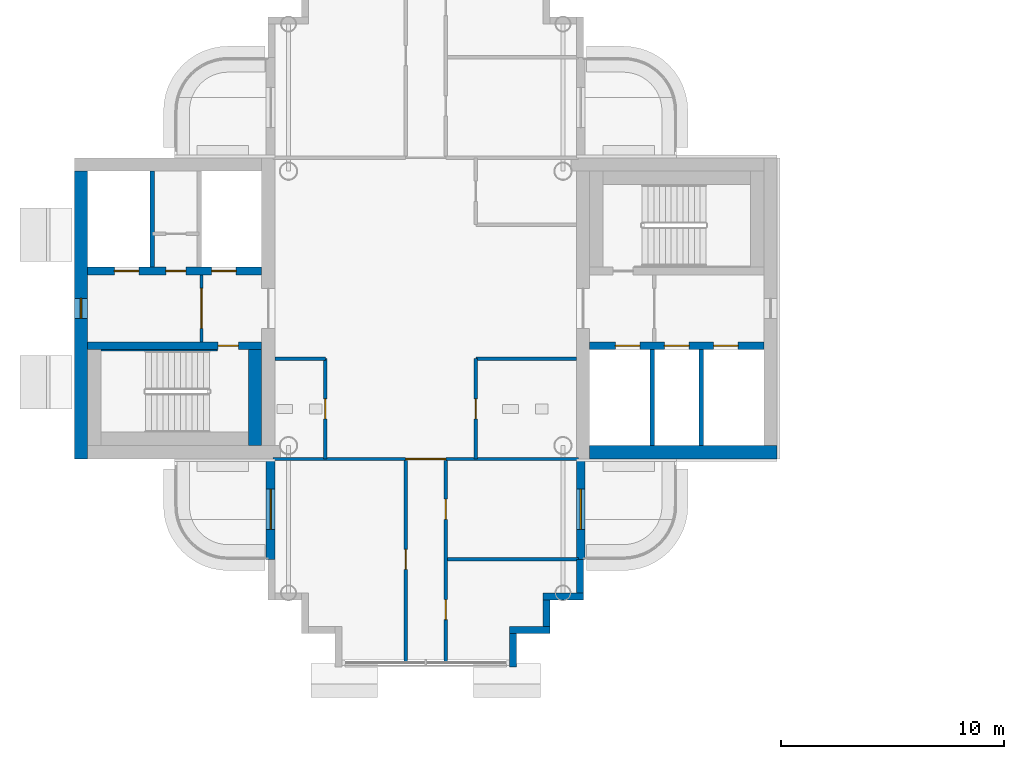
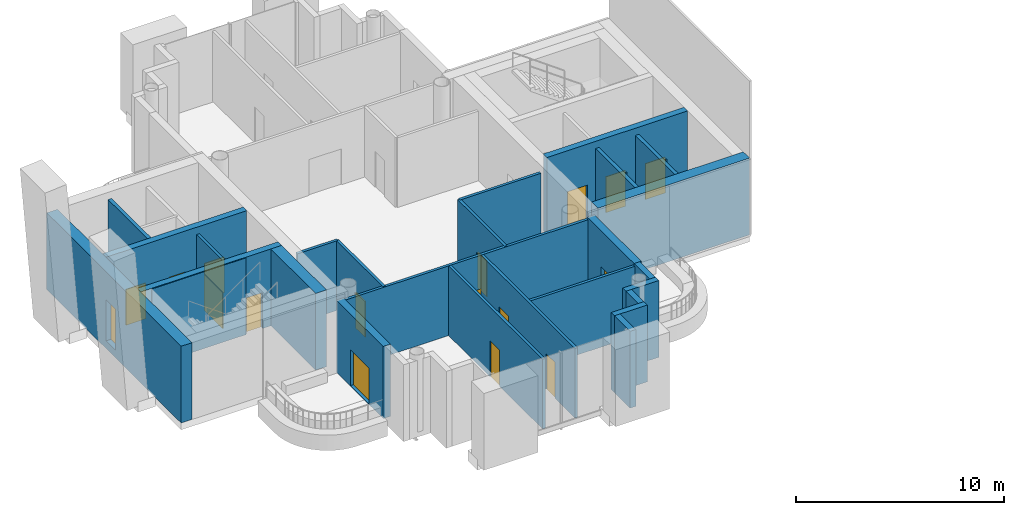
# One storey, part 7 of 20: 26 walls, 16 doors, 1 window, 17 openings.
"""IFC4 building model written with IfcOpenShell, lengths in metres."""

from ifc_helpers import new_model, si_unit, direction, frame, frame_2d, origin, place, context, subcontext, project, spatial, rectangle, extrude, material, layer, layer_set, type_object, element, fill, save


model = new_model("IFC4")

# Units and contexts
model_context = context("Model", 3, precision=1e-05, world=origin(), true_north=direction((0.0, 1.0)))
body_context = subcontext(model_context, "Body", "Model", "MODEL_VIEW")
ifc_project = project(units=[si_unit("LENGTHUNIT", "METRE"), si_unit("AREAUNIT", "SQUARE_METRE"), si_unit("VOLUMEUNIT", "CUBIC_METRE"), si_unit("PLANEANGLEUNIT", "RADIAN"), si_unit("MASSUNIT", "GRAM", prefix="KILO")], contexts=[model_context])

# Site, building, storey
site_placement = place(None, origin())
site = spatial("IfcSite", under=ifc_project, at=site_placement, CompositionType="ELEMENT")
building_placement = place(site_placement, origin())
building = spatial("IfcBuilding", under=site, at=building_placement, Name="Ipe Terrace Towers", CompositionType="ELEMENT")
storey_placement = place(building_placement, frame((0.0, 0.0, 242.39990234375)))
storey = spatial("IfcBuildingStorey", under=building, at=storey_placement, Name="L67", CompositionType="ELEMENT", Elevation=242.39990234375)

# Wall, opening, door
ifc_material_1 = material(Name="Concrete C40/50 with buff precast cladding", Category="concrete")
ifc_layer_1 = layer(ifc_material_1, 0.39990234375)
ifc_layer_set_1 = layer_set([ifc_layer_1], Name="BALCONY BAY WALL 400")
wall_type_1 = type_object("IfcWallType", Name="BALCONY BAY WALL 400", PredefinedType="STANDARD", material=ifc_layer_set_1)
wall_1_placement = place(storey_placement, frame((-42.949951171875, -6.75, -0.02001953125), z_axis=(0.0, 0.0, 1.0), x_axis=(0.0, -1.0, 0.0)))
wall_1 = element("IfcWall", 1, at=wall_1_placement, inside=storey, type_object=wall_type_1, Name="T1-W-L67-02a wall", PredefinedType="STANDARD", context=body_context, shape_type="SweptSolid", body=[
    extrude(rectangle(XDim=4.5, YDim=0.39990234375, at=frame_2d((2.25, 0.0))), origin(), (0.0, 0.0, 1.0), 4.22021484375),
])
opening_1_placement = place(wall_1_placement, frame((1.35009765625, 0.0, 0.02001953125)))
opening_1 = element("IfcOpeningElement", 2, at=opening_1_placement, cuts=wall_1, Name="Opening T1-D-L67-02", PredefinedType="OPENING", context=body_context, shape_type="SweptSolid", body=[
    extrude(rectangle(XDim=1.800048828125, YDim=2.10009765625, at=frame_2d((0.89990234375, 1.050048828125))), frame((0.0, 0.2099609375, 0.0), z_axis=(0.0, -1.0, 0.0), x_axis=(1.0, 0.0, 0.0)), (0.0, 0.0, 1.0), 0.419921875),
])
ifc_material_2 = material(Name="Aluminium alloy 6063-T6 framed glazed door", Category="aluminium")
door_type_1 = type_object("IfcDoorType", Name="BALCONY DOOR 1800 x 2100 LEFT", OperationType="SINGLE_SWING_LEFT", PredefinedType="DOOR", material=ifc_material_2)
door_1_placement = place(opening_1_placement, origin())
door_1 = element("IfcDoor", 3, at=door_1_placement, inside=storey, type_object=door_type_1, Name="DB1 door", OperationType="SINGLE_SWING_LEFT", OverallHeight=2.10009765625, OverallWidth=1.800048828125, PredefinedType="DOOR", context=body_context, shape_type="SweptSolid", body=[
    extrude(rectangle(XDim=1.800048828125, YDim=2.10009765625, at=frame_2d((0.89990234375, 1.050048828125))), frame((0.0, 0.02490234375, 0.0), z_axis=(0.0, -1.0, 0.0), x_axis=(1.0, 0.0, 0.0)), (0.0, 0.0, 1.0), 0.050048828125),
])
fill(opening_1, door_1)

wall_2_placement = place(storey_placement, frame((-29.050048828125, -11.25, -0.02001953125), z_axis=(0.0, 0.0, 1.0), x_axis=(0.0, 1.0, 0.0)))
wall_2 = element("IfcWall", 4, at=wall_2_placement, inside=storey, type_object=wall_type_1, Name="T1-W-L67-14a wall", PredefinedType="STANDARD", context=body_context, shape_type="SweptSolid", body=[
    extrude(rectangle(XDim=4.5, YDim=0.39990234375, at=frame_2d((2.25, 0.0))), origin(), (0.0, 0.0, 1.0), 4.22021484375),
])
opening_2_placement = place(wall_2_placement, frame((1.35009765625, 0.0, 0.02001953125)))
opening_2 = element("IfcOpeningElement", 5, at=opening_2_placement, cuts=wall_2, Name="Opening T1-D-L67-14", PredefinedType="OPENING", context=body_context, shape_type="SweptSolid", body=[
    extrude(rectangle(XDim=1.800048828125, YDim=2.10009765625, at=frame_2d((0.89990234375, 1.050048828125))), frame((0.0, 0.2099609375, 0.0), z_axis=(0.0, -1.0, 0.0), x_axis=(1.0, 0.0, 0.0)), (0.0, 0.0, 1.0), 0.419921875),
])
door_2_placement = place(opening_2_placement, origin())
door_2 = element("IfcDoor", 6, at=door_2_placement, inside=storey, type_object=door_type_1, Name="DB1 door", OperationType="SINGLE_SWING_LEFT", OverallHeight=2.10009765625, OverallWidth=1.800048828125, PredefinedType="DOOR", context=body_context, shape_type="SweptSolid", body=[
    extrude(rectangle(XDim=1.800048828125, YDim=2.10009765625, at=frame_2d((0.89990234375, 1.050048828125))), frame((0.0, 0.02490234375, 0.0), z_axis=(0.0, -1.0, 0.0), x_axis=(1.0, 0.0, 0.0)), (0.0, 0.0, 1.0), 0.050048828125),
])
fill(opening_2, door_2)

# Walls
ifc_material_3 = material(Name="Concrete C40/50 with buff precast cladding", Category="concrete")
ifc_layer_2 = layer(ifc_material_3, 0.320068359375)
ifc_layer_set_2 = layer_set([ifc_layer_2], Name="BUFF CLADDING WALL 320")
wall_type_2 = type_object("IfcWallType", Name="BUFF CLADDING WALL 320", PredefinedType="STANDARD", material=ifc_layer_set_2)
wall_3_placement = place(storey_placement, frame((-32.090087890625, -16.070068359375, -0.2998046875), z_axis=(0.0, 0.0, 1.0), x_axis=(0.0, 1.0, 0.0)))
element("IfcWall", 7, at=wall_3_placement, inside=storey, type_object=wall_type_2, Name="T1-W-L67-09a wall", PredefinedType="STANDARD", context=body_context, shape_type="SweptSolid", body=[
    extrude(rectangle(XDim=1.5, YDim=0.320068359375, at=frame_2d((0.75, 0.0))), origin(), (0.0, 0.0, 1.0), 4.5),
])
wall_4_placement = place(storey_placement, frame((-32.25, -14.409912109375, -0.2998046875), z_axis=(0.0, 0.0, 1.0), x_axis=(1.0, 0.0, 0.0)))
element("IfcWall", 8, at=wall_4_placement, inside=storey, type_object=wall_type_2, Name="T1-W-L67-10a wall", PredefinedType="STANDARD", context=body_context, shape_type="SweptSolid", body=[
    extrude(rectangle(XDim=1.820068359375, YDim=0.320068359375, at=frame_2d((0.91015625, 0.0))), origin(), (0.0, 0.0, 1.0), 4.5),
])
wall_5_placement = place(storey_placement, frame((-30.590087890625, -14.25, -0.2998046875), z_axis=(0.0, 0.0, 1.0), x_axis=(0.0, 1.0, 0.0)))
element("IfcWall", 9, at=wall_5_placement, inside=storey, type_object=wall_type_2, Name="T1-W-L67-11a wall", PredefinedType="STANDARD", context=body_context, shape_type="SweptSolid", body=[
    extrude(rectangle(XDim=1.179931640625, YDim=0.320068359375, at=frame_2d((0.58984375, 0.0))), origin(), (0.0, 0.0, 1.0), 4.5),
])
wall_6_placement = place(storey_placement, frame((-30.75, -12.909912109375, -0.2998046875), z_axis=(0.0, 0.0, 1.0), x_axis=(1.0, 0.0, 0.0)))
element("IfcWall", 10, at=wall_6_placement, inside=storey, type_object=wall_type_2, Name="T1-W-L67-12a wall", PredefinedType="STANDARD", context=body_context, shape_type="SweptSolid", body=[
    extrude(rectangle(XDim=1.820068359375, YDim=0.320068359375, at=frame_2d((0.91015625, 0.0))), origin(), (0.0, 0.0, 1.0), 4.5),
])
wall_7_placement = place(storey_placement, frame((-29.090087890625, -12.75, -0.2998046875), z_axis=(0.0, 0.0, 1.0), x_axis=(0.0, 1.0, 0.0)))
element("IfcWall", 11, at=wall_7_placement, inside=storey, type_object=wall_type_2, Name="T1-W-L67-13a wall", PredefinedType="STANDARD", context=body_context, shape_type="SweptSolid", body=[
    extrude(rectangle(XDim=1.5, YDim=0.320068359375, at=frame_2d((0.75, 0.0))), origin(), (0.0, 0.0, 1.0), 4.5),
])

# Wall, opening, door
ifc_material_4 = material(Name="Gypsum board partition", Category="plasterboard")
ifc_layer_3 = layer(ifc_material_4, 0.14990234375)
ifc_layer_set_3 = layer_set([ifc_layer_3], Name="Gypsum board partition 150 mm")
wall_type_3 = type_object("IfcWallType", Name="Gypsum board partition 150 mm", PredefinedType="PARTITIONING", material=ifc_layer_set_3)
wall_8_placement = place(storey_placement, frame((-46.050048828125, 1.5, 0.0), z_axis=(0.0, 0.0, 1.0), x_axis=(0.0, -1.0, 0.0)))
wall_8 = element("IfcWall", 12, at=wall_8_placement, inside=storey, type_object=wall_type_3, Name="Gypsum board partition T1 L67 t1c2-lobby-wall", PredefinedType="PARTITIONING", context=body_context, shape_type="SweptSolid", body=[
    extrude(rectangle(XDim=3.0, YDim=0.14990234375, at=frame_2d((1.5, 0.0))), origin(), (0.0, 0.0, 1.0), 4.080078125),
])
opening_3_placement = place(wall_8_placement, frame((0.60009765625, 0.0, 0.0)))
opening_3 = element("IfcOpeningElement", 13, at=opening_3_placement, cuts=wall_8, Name="Opening T1C2-VD", PredefinedType="OPENING", context=body_context, shape_type="SweptSolid", body=[
    extrude(rectangle(XDim=1.800048828125, YDim=2.10009765625, at=frame_2d((0.89990234375, 1.050048828125))), frame((0.0, 0.0849609375, 0.0), z_axis=(0.0, -1.0, 0.0), x_axis=(1.0, 0.0, 0.0)), (0.0, 0.0, 1.0), 0.169921875),
])
ifc_material_5 = material(Name="Fire-rated timber door leaf", Category="wood")
door_type_2 = type_object("IfcDoorType", Name="Lobby door 1800 x 2100 FD60", OperationType="NOTDEFINED", PredefinedType="DOOR", material=ifc_material_5)
door_3_placement = place(opening_3_placement, origin())
door_3 = element("IfcDoor", 14, at=door_3_placement, inside=storey, type_object=door_type_2, Name="Lobby door T1C2-VD", OperationType="SINGLE_SWING_LEFT", OverallHeight=2.10009765625, OverallWidth=1.800048828125, PredefinedType="DOOR", context=body_context, shape_type="SweptSolid", body=[
    extrude(rectangle(XDim=1.800048828125, YDim=2.10009765625, at=frame_2d((0.89990234375, 1.050048828125))), frame((0.0, 0.02490234375, 0.0), z_axis=(0.0, -1.0, 0.0), x_axis=(1.0, 0.0, 0.0)), (0.0, 0.0, 1.0), 0.050048828125),
])
fill(opening_3, door_3)

wall_9_placement = place(storey_placement, frame((-33.75, -6.75, 0.0), z_axis=(0.0, 0.0, 1.0), x_axis=(0.0, 1.0, 0.0)))
wall_9 = element("IfcWall", 15, at=wall_9_placement, inside=storey, type_object=wall_type_3, Name="Gypsum board partition T1 L67 sp-cse-x", PredefinedType="PARTITIONING", context=body_context, shape_type="SweptSolid", body=[
    extrude(rectangle(XDim=4.5, YDim=0.14990234375, at=frame_2d((2.25, 0.0))), origin(), (0.0, 0.0, 1.0), 4.080078125),
])
opening_4_placement = place(wall_9_placement, frame((1.800048828125, 0.0, 0.0)))
opening_4 = element("IfcOpeningElement", 16, at=opening_4_placement, cuts=wall_9, Name="Opening T1-SP-CSE-NR", PredefinedType="OPENING", context=body_context, shape_type="SweptSolid", body=[
    extrude(rectangle(XDim=0.89990234375, YDim=2.10009765625, at=frame_2d((0.449951171875, 1.050048828125))), frame((0.0, 0.0849609375, 0.0), z_axis=(0.0, -1.0, 0.0), x_axis=(1.0, 0.0, 0.0)), (0.0, 0.0, 1.0), 0.169921875),
])
ifc_material_6 = material(Name="Timber door leaf", Category="wood")
door_type_3 = type_object("IfcDoorType", Name="Bathroom door 900 x 2100", OperationType="NOTDEFINED", PredefinedType="DOOR", material=ifc_material_6)
door_4_placement = place(opening_4_placement, origin())
door_4 = element("IfcDoor", 17, at=door_4_placement, inside=storey, type_object=door_type_3, Name="Bathroom door T1-SP-CSE-NR", OperationType="SINGLE_SWING_RIGHT", OverallHeight=2.10009765625, OverallWidth=0.89990234375, PredefinedType="DOOR", context=body_context, shape_type="SweptSolid", body=[
    extrude(rectangle(XDim=0.89990234375, YDim=2.10009765625, at=frame_2d((0.449951171875, 1.050048828125))), frame((0.0, 0.02490234375, 0.0), z_axis=(0.0, -1.0, 0.0), x_axis=(1.0, 0.0, 0.0)), (0.0, 0.0, 1.0), 0.050048828125),
])
fill(opening_4, door_4)

# Wall
wall_10_placement = place(storey_placement, frame((-33.75, -2.25, 0.0), z_axis=(0.0, 0.0, 1.0), x_axis=(1.0, 0.0, 0.0)))
element("IfcWall", 18, at=wall_10_placement, inside=storey, type_object=wall_type_3, Name="Gypsum board partition T1 L67 sp-cse-y", PredefinedType="PARTITIONING", context=body_context, shape_type="SweptSolid", body=[
    extrude(rectangle(XDim=4.5, YDim=0.14990234375, at=frame_2d((2.25, 0.0))), origin(), (0.0, 0.0, 1.0), 4.080078125),
])

# Wall, opening, door
wall_11_placement = place(storey_placement, frame((-40.5, -6.75, 0.0), z_axis=(0.0, 0.0, 1.0), x_axis=(0.0, 1.0, 0.0)))
wall_11 = element("IfcWall", 19, at=wall_11_placement, inside=storey, type_object=wall_type_3, Name="Gypsum board partition T1 L67 sp-csw-x", PredefinedType="PARTITIONING", context=body_context, shape_type="SweptSolid", body=[
    extrude(rectangle(XDim=4.5, YDim=0.14990234375, at=frame_2d((2.25, 0.0))), origin(), (0.0, 0.0, 1.0), 4.080078125),
])
opening_5_placement = place(wall_11_placement, frame((1.800048828125, 0.0, 0.0)))
opening_5 = element("IfcOpeningElement", 20, at=opening_5_placement, cuts=wall_11, Name="Opening T1-SP-CSW", PredefinedType="OPENING", context=body_context, shape_type="SweptSolid", body=[
    extrude(rectangle(XDim=0.89990234375, YDim=2.10009765625, at=frame_2d((0.449951171875, 1.050048828125))), frame((0.0, 0.0849609375, 0.0), z_axis=(0.0, -1.0, 0.0), x_axis=(1.0, 0.0, 0.0)), (0.0, 0.0, 1.0), 0.169921875),
])
door_5_placement = place(opening_5_placement, origin())
door_5 = element("IfcDoor", 21, at=door_5_placement, inside=storey, type_object=door_type_3, Name="Bathroom door T1-SP-CSW", OperationType="SINGLE_SWING_LEFT", OverallHeight=2.10009765625, OverallWidth=0.89990234375, PredefinedType="DOOR", context=body_context, shape_type="SweptSolid", body=[
    extrude(rectangle(XDim=0.89990234375, YDim=2.10009765625, at=frame_2d((0.449951171875, 1.050048828125))), frame((0.0, 0.02490234375, 0.0), z_axis=(0.0, -1.0, 0.0), x_axis=(1.0, 0.0, 0.0)), (0.0, 0.0, 1.0), 0.050048828125),
])
fill(opening_5, door_5)

# Wall
wall_12_placement = place(storey_placement, frame((-42.75, -2.25, 0.0), z_axis=(0.0, 0.0, 1.0), x_axis=(1.0, 0.0, 0.0)))
element("IfcWall", 22, at=wall_12_placement, inside=storey, type_object=wall_type_3, Name="Gypsum board partition T1 L67 sp-csw-y", PredefinedType="PARTITIONING", context=body_context, shape_type="SweptSolid", body=[
    extrude(rectangle(XDim=2.25, YDim=0.14990234375, at=frame_2d((1.125, 0.0))), origin(), (0.0, 0.0, 1.0), 4.080078125),
])

# Wall, opening, door
wall_13_placement = place(storey_placement, frame((-42.85009765625, -6.75, 0.0), z_axis=(0.0, 0.0, 1.0), x_axis=(1.0, 0.0, 0.0)))
wall_13 = element("IfcWall", 23, at=wall_13_placement, inside=storey, type_object=wall_type_3, Name="Gypsum board partition T1 L67 sp-Sm-mouth", PredefinedType="PARTITIONING", context=body_context, shape_type="SweptSolid", body=[
    extrude(rectangle(XDim=13.7001953125, YDim=0.14990234375, at=frame_2d((6.85009765625, 0.0))), origin(), (0.0, 0.0, 1.0), 4.080078125),
])
opening_6_placement = place(wall_13_placement, frame((5.949951171875, 0.0, 0.0)))
opening_6 = element("IfcOpeningElement", 24, at=opening_6_placement, cuts=wall_13, Name="Opening T1-SP-MSm", PredefinedType="OPENING", context=body_context, shape_type="SweptSolid", body=[
    extrude(rectangle(XDim=1.800048828125, YDim=2.10009765625, at=frame_2d((0.89990234375, 1.050048828125))), frame((0.0, 0.0849609375, 0.0), z_axis=(0.0, -1.0, 0.0), x_axis=(1.0, 0.0, 0.0)), (0.0, 0.0, 1.0), 0.169921875),
])
ifc_material_7 = material(Name="Fire-rated timber door leaf", Category="wood")
door_type_4 = type_object("IfcDoorType", Name="Lobby door 1800 x 2100 FD30S", OperationType="NOTDEFINED", PredefinedType="DOOR", material=ifc_material_7)
door_6_placement = place(opening_6_placement, origin())
door_6 = element("IfcDoor", 25, at=door_6_placement, inside=storey, type_object=door_type_4, Name="Lobby door T1-SP-MSm", OperationType="SINGLE_SWING_RIGHT", OverallHeight=2.10009765625, OverallWidth=1.800048828125, PredefinedType="DOOR", context=body_context, shape_type="SweptSolid", body=[
    extrude(rectangle(XDim=1.800048828125, YDim=2.10009765625, at=frame_2d((0.89990234375, 1.050048828125))), frame((0.0, 0.02490234375, 0.0), z_axis=(0.0, -1.0, 0.0), x_axis=(1.0, 0.0, 0.0)), (0.0, 0.0, 1.0), 0.050048828125),
])
fill(opening_6, door_6)

# Wall, openings, doors
wall_14_placement = place(storey_placement, frame((-35.10009765625, -15.85009765625, 0.0), z_axis=(0.0, 0.0, 1.0), x_axis=(0.0, 1.0, 0.0)))
wall_14 = element("IfcWall", 26, at=wall_14_placement, inside=storey, type_object=wall_type_3, Name="Gypsum board partition T1 L67 sp-Sm-wp", PredefinedType="PARTITIONING", context=body_context, shape_type="SweptSolid", body=[
    extrude(rectangle(XDim=9.025146484375, YDim=0.14990234375, at=frame_2d((4.5126953125, 0.0))), origin(), (0.0, 0.0, 1.0), 4.080078125),
])
opening_7_placement = place(wall_14_placement, frame((1.89990234375, 0.0, 0.0)))
opening_7 = element("IfcOpeningElement", 27, at=opening_7_placement, cuts=wall_14, Name="Opening T1-SP-PSm1", PredefinedType="OPENING", context=body_context, shape_type="SweptSolid", body=[
    extrude(rectangle(XDim=0.89990234375, YDim=2.10009765625, at=frame_2d((0.449951171875, 1.050048828125))), frame((0.0, 0.0849609375, 0.0), z_axis=(0.0, -1.0, 0.0), x_axis=(1.0, 0.0, 0.0)), (0.0, 0.0, 1.0), 0.169921875),
])
opening_8_placement = place(wall_14_placement, frame((6.39990234375, 0.0, 0.0)))
opening_8 = element("IfcOpeningElement", 28, at=opening_8_placement, cuts=wall_14, Name="Opening T1-SP-PSm2", PredefinedType="OPENING", context=body_context, shape_type="SweptSolid", body=[
    extrude(rectangle(XDim=0.89990234375, YDim=2.10009765625, at=frame_2d((0.449951171875, 1.050048828125))), frame((0.0, 0.0849609375, 0.0), z_axis=(0.0, -1.0, 0.0), x_axis=(1.0, 0.0, 0.0)), (0.0, 0.0, 1.0), 0.169921875),
])
ifc_material_8 = material(Name="Fire-rated timber door leaf", Category="wood")
door_type_5 = type_object("IfcDoorType", Name="Lounge door 900 x 2100 FD30S", OperationType="NOTDEFINED", PredefinedType="DOOR", material=ifc_material_8)
door_7_placement = place(opening_7_placement, origin())
door_7 = element("IfcDoor", 29, at=door_7_placement, inside=storey, type_object=door_type_5, Name="Lounge door T1-SP-PSm1", OperationType="SINGLE_SWING_LEFT", OverallHeight=2.10009765625, OverallWidth=0.89990234375, PredefinedType="DOOR", context=body_context, shape_type="SweptSolid", body=[
    extrude(rectangle(XDim=0.89990234375, YDim=2.10009765625, at=frame_2d((0.449951171875, 1.050048828125))), frame((0.0, 0.02490234375, 0.0), z_axis=(0.0, -1.0, 0.0), x_axis=(1.0, 0.0, 0.0)), (0.0, 0.0, 1.0), 0.050048828125),
])
fill(opening_7, door_7)
door_8_placement = place(opening_8_placement, origin())
door_8 = element("IfcDoor", 30, at=door_8_placement, inside=storey, type_object=door_type_5, Name="Lounge door T1-SP-PSm2", OperationType="SINGLE_SWING_RIGHT", OverallHeight=2.10009765625, OverallWidth=0.89990234375, PredefinedType="DOOR", context=body_context, shape_type="SweptSolid", body=[
    extrude(rectangle(XDim=0.89990234375, YDim=2.10009765625, at=frame_2d((0.449951171875, 1.050048828125))), frame((0.0, 0.02490234375, 0.0), z_axis=(0.0, -1.0, 0.0), x_axis=(1.0, 0.0, 0.0)), (0.0, 0.0, 1.0), 0.050048828125),
])
fill(opening_8, door_8)

# Wall
wall_15_placement = place(storey_placement, frame((-35.02490234375, -11.25, 0.0), z_axis=(0.0, 0.0, 1.0), x_axis=(1.0, 0.0, 0.0)))
element("IfcWall", 31, at=wall_15_placement, inside=storey, type_object=wall_type_3, Name="Gypsum board partition T1 L67 sp-Sm-dp1", PredefinedType="PARTITIONING", context=body_context, shape_type="SweptSolid", body=[
    extrude(rectangle(XDim=5.875, YDim=0.14990234375, at=frame_2d((2.9375, 0.0))), origin(), (0.0, 0.0, 1.0), 4.080078125),
])

# Wall, opening, door
wall_16_placement = place(storey_placement, frame((-36.89990234375, -15.85009765625, 0.0), z_axis=(0.0, 0.0, 1.0), x_axis=(0.0, 1.0, 0.0)))
wall_16 = element("IfcWall", 32, at=wall_16_placement, inside=storey, type_object=wall_type_3, Name="Gypsum board partition T1 L67 sp-Sm-wm", PredefinedType="PARTITIONING", context=body_context, shape_type="SweptSolid", body=[
    extrude(rectangle(XDim=9.025146484375, YDim=0.14990234375, at=frame_2d((4.5126953125, 0.0))), origin(), (0.0, 0.0, 1.0), 4.080078125),
])
opening_9_placement = place(wall_16_placement, frame((4.14990234375, 0.0, 0.0)))
opening_9 = element("IfcOpeningElement", 33, at=opening_9_placement, cuts=wall_16, Name="Opening T1-SP-MSm1", PredefinedType="OPENING", context=body_context, shape_type="SweptSolid", body=[
    extrude(rectangle(XDim=0.89990234375, YDim=2.10009765625, at=frame_2d((0.449951171875, 1.050048828125))), frame((0.0, 0.0849609375, 0.0), z_axis=(0.0, -1.0, 0.0), x_axis=(1.0, 0.0, 0.0)), (0.0, 0.0, 1.0), 0.169921875),
])
door_9_placement = place(opening_9_placement, origin())
door_9 = element("IfcDoor", 34, at=door_9_placement, inside=storey, type_object=door_type_5, Name="Lounge door T1-SP-MSm1", OperationType="SINGLE_SWING_RIGHT", OverallHeight=2.10009765625, OverallWidth=0.89990234375, PredefinedType="DOOR", context=body_context, shape_type="SweptSolid", body=[
    extrude(rectangle(XDim=0.89990234375, YDim=2.10009765625, at=frame_2d((0.449951171875, 1.050048828125))), frame((0.0, 0.02490234375, 0.0), z_axis=(0.0, -1.0, 0.0), x_axis=(1.0, 0.0, 0.0)), (0.0, 0.0, 1.0), 0.050048828125),
])
fill(opening_9, door_9)

# Walls
ifc_material_9 = material(Name="Gypsum board party wall", Category="plasterboard")
ifc_layer_4 = layer(ifc_material_9, 0.199951171875)
ifc_layer_set_4 = layer_set([ifc_layer_4], Name="Gypsum board party wall 200 mm")
wall_type_4 = type_object("IfcWallType", Name="Gypsum board party wall 200 mm", PredefinedType="SOLIDWALL", material=ifc_layer_set_4)
for number, where, z_axis, x_axis, name in (
    (35, (-25.85009765625, -6.14990234375, 0.0), (0.0, 0.0, 1.0), (0.0, 1.0, 0.0), "Gypsum board party wall T1 L67 t1c1-shaft-div1"),
    (36, (-23.64990234375, -6.14990234375, 0.0), (0.0, 0.0, 1.0), (0.0, 1.0, 0.0), "Gypsum board party wall T1 L67 t1c1-shaft-div2"),
    (37, (-48.25, 6.14990234375, 0.0), (0.0, 0.0, 1.0), (0.0, -1.0, 0.0), "Gypsum board party wall T1 L67 t1c2-shaft-div2"),
):
    element("IfcWall", number, at=place(storey_placement, frame(where, z_axis=z_axis, x_axis=x_axis)), inside=storey, type_object=wall_type_4, Name=name, PredefinedType="SOLIDWALL", context=body_context, shape_type="SweptSolid", body=[
        extrude(rectangle(XDim=4.2998046875, YDim=0.199951171875, at=frame_2d((2.14990234375, 0.0))), origin(), (0.0, 0.0, 1.0), 4.080078125),
    ])

# Wall, openings, doors
ifc_material_10 = material(Name="Concrete C40/50", Category="concrete")
ifc_layer_5 = layer(ifc_material_10, 0.35009765625)
ifc_layer_set_5 = layer_set([ifc_layer_5], Name="RW350 CORE SPINE WALL 350 C40-50")
wall_type_5 = type_object("IfcWallType", Name="RW350 CORE SPINE WALL 350 C40-50", PredefinedType="SHEAR", material=ifc_layer_set_5)
wall_17_placement = place(storey_placement, frame((-28.64990234375, -1.675048828125, 0.0), z_axis=(0.0, 0.0, 1.0), x_axis=(1.0, 0.0, 0.0)))
wall_17 = element("IfcWall", 38, at=wall_17_placement, inside=storey, type_object=wall_type_5, Name="Core spine wall T1-C1-Z4-SW1", PredefinedType="SHEAR", context=body_context, shape_type="SweptSolid", body=[
    extrude(rectangle(XDim=7.7998046875, YDim=0.35009765625, at=frame_2d((3.89990234375, 0.0))), origin(), (0.0, 0.0, 1.0), 4.5),
])
opening_10_placement = place(wall_17_placement, frame((1.14990234375, 0.0, 0.0)))
opening_10 = element("IfcOpeningElement", 39, at=opening_10_placement, cuts=wall_17, Name="Opening T1C1-LD1", PredefinedType="OPENING", context=body_context, shape_type="SweptSolid", body=[
    extrude(rectangle(XDim=1.10009765625, YDim=2.10009765625, at=frame_2d((0.550048828125, 1.050048828125))), frame((0.0, 0.18505859375, 0.0), z_axis=(0.0, -1.0, 0.0), x_axis=(1.0, 0.0, 0.0)), (0.0, 0.0, 1.0), 0.3701171875),
])
opening_11_placement = place(wall_17_placement, frame((3.35009765625, 0.0, 0.0)))
opening_11 = element("IfcOpeningElement", 40, at=opening_11_placement, cuts=wall_17, Name="Opening T1C1-LD2", PredefinedType="OPENING", context=body_context, shape_type="SweptSolid", body=[
    extrude(rectangle(XDim=1.10009765625, YDim=2.10009765625, at=frame_2d((0.550048828125, 1.050048828125))), frame((0.0, 0.18505859375, 0.0), z_axis=(0.0, -1.0, 0.0), x_axis=(1.0, 0.0, 0.0)), (0.0, 0.0, 1.0), 0.3701171875),
])
opening_12_placement = place(wall_17_placement, frame((5.550048828125, 0.0, 0.0)))
opening_12 = element("IfcOpeningElement", 41, at=opening_12_placement, cuts=wall_17, Name="Opening T1C1-LD3", PredefinedType="OPENING", context=body_context, shape_type="SweptSolid", body=[
    extrude(rectangle(XDim=1.10009765625, YDim=2.10009765625, at=frame_2d((0.550048828125, 1.050048828125))), frame((0.0, 0.18505859375, 0.0), z_axis=(0.0, -1.0, 0.0), x_axis=(1.0, 0.0, 0.0)), (0.0, 0.0, 1.0), 0.3701171875),
])
ifc_material_11 = material(Name="Fire-rated timber door leaf", Category="wood")
door_type_6 = type_object("IfcDoorType", Name="Sliding door 1100 x 2100 FD60", OperationType="SLIDING_TO_LEFT", PredefinedType="DOOR", material=ifc_material_11)
door_10_placement = place(opening_10_placement, origin())
door_10 = element("IfcDoor", 42, at=door_10_placement, inside=storey, type_object=door_type_6, Name="Sliding door T1C1-LD1", OperationType="SLIDING_TO_LEFT", OverallHeight=2.10009765625, OverallWidth=1.10009765625, PredefinedType="DOOR", context=body_context, shape_type="SweptSolid", body=[
    extrude(rectangle(XDim=1.10009765625, YDim=2.10009765625, at=frame_2d((0.550048828125, 1.050048828125))), frame((0.0, 0.02490234375, 0.0), z_axis=(0.0, -1.0, 0.0), x_axis=(1.0, 0.0, 0.0)), (0.0, 0.0, 1.0), 0.050048828125),
])
fill(opening_10, door_10)
door_11_placement = place(opening_11_placement, origin())
door_11 = element("IfcDoor", 43, at=door_11_placement, inside=storey, type_object=door_type_6, Name="Sliding door T1C1-LD2", OperationType="SLIDING_TO_LEFT", OverallHeight=2.10009765625, OverallWidth=1.10009765625, PredefinedType="DOOR", context=body_context, shape_type="SweptSolid", body=[
    extrude(rectangle(XDim=1.10009765625, YDim=2.10009765625, at=frame_2d((0.550048828125, 1.050048828125))), frame((0.0, 0.02490234375, 0.0), z_axis=(0.0, -1.0, 0.0), x_axis=(1.0, 0.0, 0.0)), (0.0, 0.0, 1.0), 0.050048828125),
])
fill(opening_11, door_11)
door_12_placement = place(opening_12_placement, origin())
door_12 = element("IfcDoor", 44, at=door_12_placement, inside=storey, type_object=door_type_6, Name="Sliding door T1C1-LD3", OperationType="SLIDING_TO_LEFT", OverallHeight=2.10009765625, OverallWidth=1.10009765625, PredefinedType="DOOR", context=body_context, shape_type="SweptSolid", body=[
    extrude(rectangle(XDim=1.10009765625, YDim=2.10009765625, at=frame_2d((0.550048828125, 1.050048828125))), frame((0.0, 0.02490234375, 0.0), z_axis=(0.0, -1.0, 0.0), x_axis=(1.0, 0.0, 0.0)), (0.0, 0.0, 1.0), 0.050048828125),
])
fill(opening_12, door_12)

# Wall, opening, door
wall_18_placement = place(storey_placement, frame((-51.14990234375, -1.675048828125, 0.0), z_axis=(0.0, 0.0, 1.0), x_axis=(1.0, 0.0, 0.0)))
wall_18 = element("IfcWall", 45, at=wall_18_placement, inside=storey, type_object=wall_type_5, Name="Core spine wall T1-C2-Z4-SW1", PredefinedType="SHEAR", context=body_context, shape_type="SweptSolid", body=[
    extrude(rectangle(XDim=7.7998046875, YDim=0.35009765625, at=frame_2d((3.89990234375, 0.0))), origin(), (0.0, 0.0, 1.0), 4.5),
])
opening_13_placement = place(wall_18_placement, frame((5.85009765625, 0.0, 0.0)))
opening_13 = element("IfcOpeningElement", 46, at=opening_13_placement, cuts=wall_18, Name="Opening T1C2-SD", PredefinedType="OPENING", context=body_context, shape_type="SweptSolid", body=[
    extrude(rectangle(XDim=0.89990234375, YDim=2.10009765625, at=frame_2d((0.449951171875, 1.050048828125))), frame((0.0, 0.18505859375, 0.0), z_axis=(0.0, -1.0, 0.0), x_axis=(1.0, 0.0, 0.0)), (0.0, 0.0, 1.0), 0.3701171875),
])
ifc_material_12 = material(Name="Fire-rated timber door leaf", Category="wood")
door_type_7 = type_object("IfcDoorType", Name="Stair door 900 x 2100 FD60", OperationType="NOTDEFINED", PredefinedType="DOOR", material=ifc_material_12)
door_13_placement = place(opening_13_placement, origin())
door_13 = element("IfcDoor", 47, at=door_13_placement, inside=storey, type_object=door_type_7, Name="Stair door T1C2-SD", OperationType="SINGLE_SWING_RIGHT", OverallHeight=2.10009765625, OverallWidth=0.89990234375, PredefinedType="DOOR", context=body_context, shape_type="SweptSolid", body=[
    extrude(rectangle(XDim=0.89990234375, YDim=2.10009765625, at=frame_2d((0.449951171875, 1.050048828125))), frame((0.0, 0.02490234375, 0.0), z_axis=(0.0, -1.0, 0.0), x_axis=(1.0, 0.0, 0.0)), (0.0, 0.0, 1.0), 0.050048828125),
])
fill(opening_13, door_13)

# Wall, openings, doors
wall_19_placement = place(storey_placement, frame((-51.14990234375, 1.675048828125, 0.0), z_axis=(0.0, 0.0, 1.0), x_axis=(1.0, 0.0, 0.0)))
wall_19 = element("IfcWall", 48, at=wall_19_placement, inside=storey, type_object=wall_type_5, Name="Core spine wall T1-C2-Z4-SW2", PredefinedType="SHEAR", context=body_context, shape_type="SweptSolid", body=[
    extrude(rectangle(XDim=7.7998046875, YDim=0.35009765625, at=frame_2d((3.89990234375, 0.0))), origin(), (0.0, 0.0, 1.0), 4.5),
])
opening_14_placement = place(wall_19_placement, frame((5.550048828125, 0.0, 0.0)))
opening_14 = element("IfcOpeningElement", 49, at=opening_14_placement, cuts=wall_19, Name="Opening T1C2-LD1", PredefinedType="OPENING", context=body_context, shape_type="SweptSolid", body=[
    extrude(rectangle(XDim=1.10009765625, YDim=2.10009765625, at=frame_2d((0.550048828125, 1.050048828125))), frame((0.0, 0.18505859375, 0.0), z_axis=(0.0, -1.0, 0.0), x_axis=(1.0, 0.0, 0.0)), (0.0, 0.0, 1.0), 0.3701171875),
])
opening_15_placement = place(wall_19_placement, frame((1.199951171875, 0.0, 0.0)))
opening_15 = element("IfcOpeningElement", 50, at=opening_15_placement, cuts=wall_19, Name="Opening T1C2-LD3", PredefinedType="OPENING", context=body_context, shape_type="SweptSolid", body=[
    extrude(rectangle(XDim=1.10009765625, YDim=2.10009765625, at=frame_2d((0.550048828125, 1.050048828125))), frame((0.0, 0.18505859375, 0.0), z_axis=(0.0, -1.0, 0.0), x_axis=(1.0, 0.0, 0.0)), (0.0, 0.0, 1.0), 0.3701171875),
])
opening_16_placement = place(wall_19_placement, frame((3.5, 0.0, 0.0)))
opening_16 = element("IfcOpeningElement", 51, at=opening_16_placement, cuts=wall_19, Name="Opening T1C2-R1-NR", PredefinedType="OPENING", context=body_context, shape_type="SweptSolid", body=[
    extrude(rectangle(XDim=0.89990234375, YDim=2.10009765625, at=frame_2d((0.449951171875, 1.050048828125))), frame((0.0, 0.18505859375, 0.0), z_axis=(0.0, -1.0, 0.0), x_axis=(1.0, 0.0, 0.0)), (0.0, 0.0, 1.0), 0.3701171875),
])
door_14_placement = place(opening_14_placement, origin())
door_14 = element("IfcDoor", 52, at=door_14_placement, inside=storey, type_object=door_type_6, Name="Sliding door T1C2-LD1", OperationType="SLIDING_TO_LEFT", OverallHeight=2.10009765625, OverallWidth=1.10009765625, PredefinedType="DOOR", context=body_context, shape_type="SweptSolid", body=[
    extrude(rectangle(XDim=1.10009765625, YDim=2.10009765625, at=frame_2d((0.550048828125, 1.050048828125))), frame((0.0, 0.02490234375, 0.0), z_axis=(0.0, -1.0, 0.0), x_axis=(1.0, 0.0, 0.0)), (0.0, 0.0, 1.0), 0.050048828125),
])
fill(opening_14, door_14)
door_15_placement = place(opening_15_placement, origin())
door_15 = element("IfcDoor", 53, at=door_15_placement, inside=storey, type_object=door_type_6, Name="Sliding door T1C2-LD3", OperationType="SLIDING_TO_LEFT", OverallHeight=2.10009765625, OverallWidth=1.10009765625, PredefinedType="DOOR", context=body_context, shape_type="SweptSolid", body=[
    extrude(rectangle(XDim=1.10009765625, YDim=2.10009765625, at=frame_2d((0.550048828125, 1.050048828125))), frame((0.0, 0.02490234375, 0.0), z_axis=(0.0, -1.0, 0.0), x_axis=(1.0, 0.0, 0.0)), (0.0, 0.0, 1.0), 0.050048828125),
])
fill(opening_15, door_15)
ifc_material_13 = material(Name="Timber door leaf", Category="wood")
door_type_8 = type_object("IfcDoorType", Name="Store door 900 x 2100", OperationType="NOTDEFINED", PredefinedType="DOOR", material=ifc_material_13)
door_16_placement = place(opening_16_placement, origin())
door_16 = element("IfcDoor", 54, at=door_16_placement, inside=storey, type_object=door_type_8, Name="Store door T1C2-R1-NR", OperationType="SINGLE_SWING_LEFT", OverallHeight=2.10009765625, OverallWidth=0.89990234375, PredefinedType="DOOR", context=body_context, shape_type="SweptSolid", body=[
    extrude(rectangle(XDim=0.89990234375, YDim=2.10009765625, at=frame_2d((0.449951171875, 1.050048828125))), frame((0.0, 0.02490234375, 0.0), z_axis=(0.0, -1.0, 0.0), x_axis=(1.0, 0.0, 0.0)), (0.0, 0.0, 1.0), 0.050048828125),
])
fill(opening_16, door_16)

# Walls
ifc_material_14 = material(Name="Concrete C40/50", Category="concrete")
ifc_layer_6 = layer(ifc_material_14, 0.050048828125)
ifc_layer_set_6 = layer_set([ifc_layer_6], Name="RW50 CORE INFILL WALL 50 C40-50")
wall_type_6 = type_object("IfcWallType", Name="RW50 CORE INFILL WALL 50 C40-50", PredefinedType="SHEAR", material=ifc_layer_set_6)
wall_20_placement = place(storey_placement, frame((-45.35009765625, -1.875, 0.0), z_axis=(0.0, 0.0, 1.0), x_axis=(-1.0, 0.0, 0.0)))
element("IfcWall", 55, at=wall_20_placement, inside=storey, type_object=wall_type_6, Name="Core infill wall T1-C2-spine-b", PredefinedType="SHEAR", context=body_context, shape_type="SweptSolid", body=[
    extrude(rectangle(XDim=5.199951171875, YDim=0.050048828125, at=frame_2d((2.60009765625, 0.0))), origin(), (0.0, 0.0, 1.0), 4.5),
])
ifc_material_15 = material(Name="Concrete C40/50", Category="concrete")
ifc_layer_7 = layer(ifc_material_15, 0.60009765625)
ifc_layer_set_7 = layer_set([ifc_layer_7], Name="RW600 CORE INFILL WALL 600 C40-50")
wall_type_7 = type_object("IfcWallType", Name="RW600 CORE INFILL WALL 600 C40-50", PredefinedType="SHEAR", material=ifc_layer_set_7)
wall_21_placement = place(storey_placement, frame((-43.64990234375, -1.85009765625, 0.0), z_axis=(0.0, 0.0, 1.0), x_axis=(0.0, -1.0, 0.0)))
element("IfcWall", 56, at=wall_21_placement, inside=storey, type_object=wall_type_7, Name="Core infill wall T1-C2-near", PredefinedType="SHEAR", context=body_context, shape_type="SweptSolid", body=[
    extrude(rectangle(XDim=4.2998046875, YDim=0.60009765625, at=frame_2d((2.14990234375, 0.0))), origin(), (0.0, 0.0, 1.0), 4.5),
])
ifc_material_16 = material(Name="Concrete C40/50", Category="concrete")
ifc_layer_8 = layer(ifc_material_16, 0.60009765625)
ifc_layer_set_8 = layer_set([ifc_layer_8], Name="RW600 CORE WALL 600 C40-50")
wall_type_8 = type_object("IfcWallType", Name="RW600 CORE WALL 600 C40-50", PredefinedType="SHEAR", material=ifc_layer_set_8)
wall_22_placement = place(storey_placement, frame((-28.64990234375, -6.449951171875, 0.0), z_axis=(0.0, 0.0, 1.0), x_axis=(1.0, 0.0, 0.0)))
element("IfcWall", 57, at=wall_22_placement, inside=storey, type_object=wall_type_8, Name="Core wall T1-C1-Z4-W01", PredefinedType="SHEAR", context=body_context, shape_type="SweptSolid", body=[
    extrude(rectangle(XDim=8.39990234375, YDim=0.60009765625, at=frame_2d((4.199951171875, 0.0))), origin(), (0.0, 0.0, 1.0), 4.5),
])

# Wall, opening, window
wall_23_placement = place(storey_placement, frame((-51.449951171875, 6.14990234375, 0.0), z_axis=(0.0, 0.0, 1.0), x_axis=(0.0, -1.0, 0.0)))
wall_23 = element("IfcWall", 58, at=wall_23_placement, inside=storey, type_object=wall_type_8, Name="Core wall T1-C2-Z4-W04", PredefinedType="SHEAR", context=body_context, shape_type="SweptSolid", body=[
    extrude(rectangle(XDim=12.89990234375, YDim=0.60009765625, at=frame_2d((6.449951171875, 0.0))), origin(), (0.0, 0.0, 1.0), 4.5),
])
opening_17_placement = place(wall_23_placement, frame((5.699951171875, 0.0, 0.449951171875)))
opening_17 = element("IfcOpeningElement", 59, at=opening_17_placement, cuts=wall_23, Name="Opening T1-C2-W-01-L67", PredefinedType="OPENING", context=body_context, shape_type="SweptSolid", body=[
    extrude(rectangle(XDim=0.89990234375, YDim=2.39990234375, at=frame_2d((0.449951171875, 1.199951171875))), frame((0.0, 0.31005859375, 0.0), z_axis=(0.0, -1.0, 0.0), x_axis=(1.0, 0.0, 0.0)), (0.0, 0.0, 1.0), 0.6201171875),
])
ifc_material_17 = material(Name="Fire-resistant glazing EI 60", Category="glass")
window_type = type_object("IfcWindowType", Name="CORRIDOR END SLOT WINDOW 900 x 2400 EI 60", PartitioningType="SINGLE_PANEL", PredefinedType="WINDOW", material=ifc_material_17)
window_placement = place(opening_17_placement, origin())
window = element("IfcWindow", 60, at=window_placement, inside=storey, type_object=window_type, Name="W-01 window", OverallHeight=2.39990234375, OverallWidth=0.89990234375, PartitioningType="SINGLE_PANEL", PredefinedType="WINDOW", context=body_context, shape_type="SweptSolid", body=[
    extrude(rectangle(XDim=0.89990234375, YDim=2.39990234375, at=frame_2d((0.449951171875, 1.199951171875))), frame((0.0, 0.030029296875, 0.0), z_axis=(0.0, -1.0, 0.0), x_axis=(1.0, 0.0, 0.0)), (0.0, 0.0, 1.0), 0.06005859375),
])
fill(opening_17, window)

save(model, "model.ifc")
